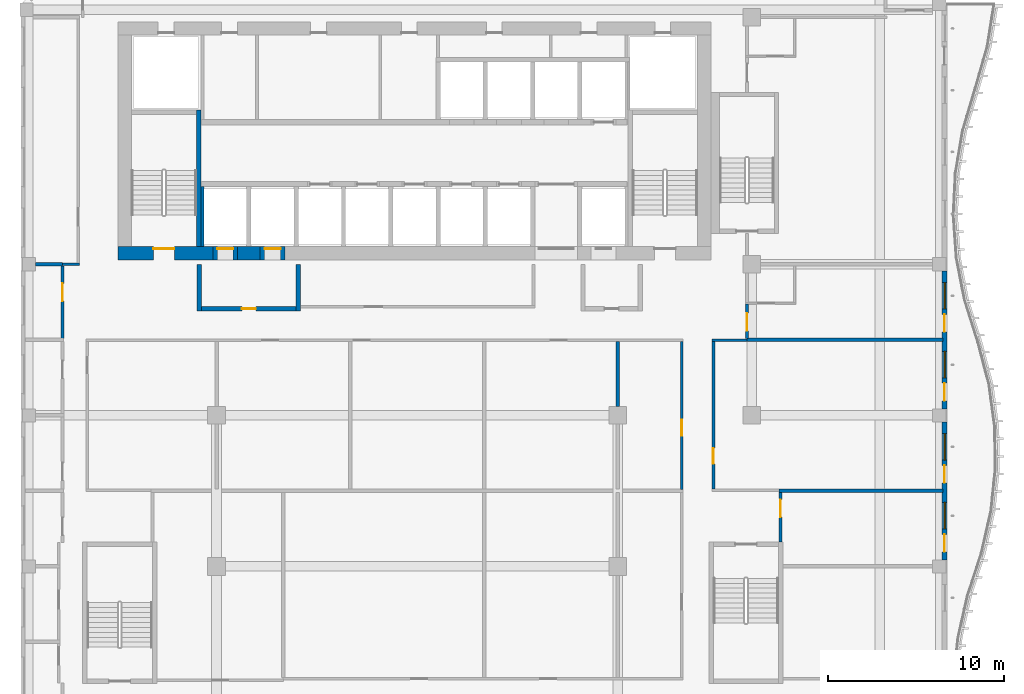
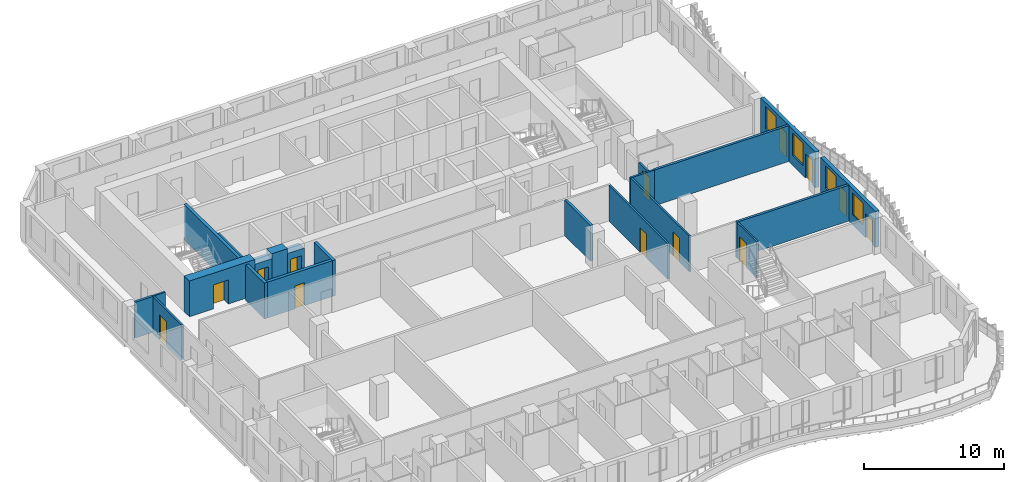
# One storey, part 6 of 22: 22 walls, 13 doors, 4 windows, 17 openings.
"""IFC4 building model written with IfcOpenShell, lengths in metres."""

import ifcopenshell
import ifcopenshell.guid

model = None  # the IFC model being written
_history = None  # IfcOwnerHistory: only IFC2X3 demands one
_inside = {}  # id of a spatial element -> (the spatial element, [elements in it])
_under = {}  # id of a project, library or spatial element -> (it, [spatial elements below it])
_declared = {}  # id of a project -> (the project, [libraries it declares])
_typed = {}  # id of a type object -> (the type object, [elements of that type])
_made_of = {}  # id of a material, layer set ... -> (it, [elements and type objects made of it])


def new_model(schema):
    """Start an empty IFC model of exactly this schema.

    Asked for "IFC4X3", IfcOpenShell would pick the latest addendum, in which some entities
    have other attributes; the version numbers below select the first issue.
    IFC2X3 requires an IfcOwnerHistory on every rooted entity: one is made here for all.
    """
    global model, _history
    if schema == "IFC4X3":
        model = ifcopenshell.file(schema_version=(4, 3, 0, 0))
    else:
        model = ifcopenshell.file(schema=schema)
    _inside.clear()
    _under.clear()
    _declared.clear()
    _typed.clear()
    _made_of.clear()
    _history = None
    if model.schema == "IFC2X3":
        org = make("IfcOrganization", Name="unknown")
        user = make(
            "IfcPersonAndOrganization",
            ThePerson=make("IfcPerson", FamilyName="unknown"),
            TheOrganization=org,
        )
        app = make(
            "IfcApplication",
            ApplicationDeveloper=org,
            Version="unknown",
            ApplicationFullName="unknown",
            ApplicationIdentifier="unknown",
        )
        _history = make(
            "IfcOwnerHistory",
            OwningUser=user,
            OwningApplication=app,
            ChangeAction="ADDED",
            CreationDate=0,
        )
    return model


def make(cls, **values):
    """One entity of the class cls with the attributes given. An attribute that is None is left unset."""
    return model.create_entity(
        cls, **{name: value for name, value in values.items() if value is not None}
    )


def rooted(cls, **values):
    """An entity with a GlobalId (a new one), such as an element, a storey or a relation."""
    return make(cls, GlobalId=ifcopenshell.guid.new(), OwnerHistory=_history, **values)


def si_unit(unit_type, name, prefix=None):
    """IfcSIUnit, for example si_unit("LENGTHUNIT", "METRE", prefix="MILLI")."""
    return make("IfcSIUnit", UnitType=unit_type, Prefix=prefix, Name=name)


def assignment(units):
    """IfcUnitAssignment: the units of a project."""
    return None if units is None else make("IfcUnitAssignment", Units=units)


def point(xyz):
    """IfcCartesianPoint."""
    return None if xyz is None else make("IfcCartesianPoint", Coordinates=xyz)


def direction(xyz):
    """IfcDirection."""
    return None if xyz is None else make("IfcDirection", DirectionRatios=xyz)


def frame(location, z_axis=None, x_axis=None):
    """IfcAxis2Placement3D, a coordinate frame: its origin and axes. An axis left out is left unset."""
    return make(
        "IfcAxis2Placement3D",
        Location=point(location),
        Axis=direction(z_axis),
        RefDirection=direction(x_axis),
    )


def frame_2d(location, x_axis=None):
    """IfcAxis2Placement2D, a coordinate frame in the plane: its origin and x axis."""
    return make(
        "IfcAxis2Placement2D", Location=point(location), RefDirection=direction(x_axis)
    )


def origin():
    """The frame at (0, 0, 0) with its axes left unset."""
    return frame((0.0, 0.0, 0.0))


def place(relative_to, where):
    """IfcLocalPlacement: puts the frame where relative to a parent placement (None: the world)."""
    return make(
        "IfcLocalPlacement", PlacementRelTo=relative_to, RelativePlacement=where
    )


def context(
    kind, dimensions, precision=None, world=None, true_north=None, identifier=None
):
    """IfcGeometricRepresentationContext, for example the 3D "Model" context."""
    return make(
        "IfcGeometricRepresentationContext",
        ContextIdentifier=identifier,
        ContextType=kind,
        CoordinateSpaceDimension=dimensions,
        Precision=precision,
        WorldCoordinateSystem=world,
        TrueNorth=true_north,
    )


def subcontext(parent, identifier, kind, view, scale=None):
    """IfcGeometricRepresentationSubContext, for example "Body" below "Model"."""
    return make(
        "IfcGeometricRepresentationSubContext",
        ContextIdentifier=identifier,
        ContextType=kind,
        ParentContext=parent,
        TargetScale=scale,
        TargetView=view,
    )


def project(units=None, contexts=None):
    """IfcProject with its units and contexts."""
    return rooted(
        "IfcProject",
        Name="project",
        RepresentationContexts=contexts,
        UnitsInContext=assignment(units),
    )


def spatial(cls, under=None, at=None, **own):
    """A site, building, storey or space (cls), placed at a placement, below another one or the project."""
    s = rooted(cls, ObjectPlacement=at, **own)
    if under is not None:
        _under.setdefault(under.id(), (under, []))[1].append(s)
    return s


def profile(cls, at=None, kind="AREA", **sizes):
    """A parametric profile (cls). Its sizes go by their IFC names, for example OverallWidth=200.0."""
    return make(cls, ProfileType=kind, Position=at, **sizes)


def rectangle(**sizes):
    """IfcRectangleProfileDef."""
    return profile("IfcRectangleProfileDef", **sizes)


def extrude(swept, where, along, depth):
    """IfcExtrudedAreaSolid: the profile swept, set in the frame where, extruded along a direction by depth."""
    return make(
        "IfcExtrudedAreaSolid",
        SweptArea=swept,
        Position=where,
        ExtrudedDirection=direction(along),
        Depth=depth,
    )


def shape(context_of_items, identifier, shape_type, items):
    """IfcShapeRepresentation: the items that make up one representation, for example the "Body"."""
    return make(
        "IfcShapeRepresentation",
        ContextOfItems=context_of_items,
        RepresentationIdentifier=identifier,
        RepresentationType=shape_type,
        Items=items,
    )


def source(mapping_origin, context_of_items, identifier, shape_type, items):
    """IfcRepresentationMap: a shape defined once, which mapped items show again and again."""
    return make(
        "IfcRepresentationMap",
        MappingOrigin=mapping_origin,
        MappedRepresentation=shape(context_of_items, identifier, shape_type, items),
    )


def transform(
    local_origin,
    x_axis=None,
    y_axis=None,
    z_axis=None,
    scale=None,
    scale2=None,
    scale3=None,
    uniform=True,
):
    """IfcCartesianTransformationOperator3D, or its non-uniform kind. x_axis, y_axis, z_axis: its Axis1, 2, 3."""
    if uniform:
        return make(
            "IfcCartesianTransformationOperator3D",
            Axis1=direction(x_axis),
            Axis2=direction(y_axis),
            LocalOrigin=point(local_origin),
            Scale=scale,
            Axis3=direction(z_axis),
        )
    return make(
        "IfcCartesianTransformationOperator3DnonUniform",
        Axis1=direction(x_axis),
        Axis2=direction(y_axis),
        LocalOrigin=point(local_origin),
        Scale=scale,
        Axis3=direction(z_axis),
        Scale2=scale2,
        Scale3=scale3,
    )


def mapped(mapping_source, mapping_target):
    """IfcMappedItem: shows the shape of a source again, moved by a transform."""
    return make(
        "IfcMappedItem", MappingSource=mapping_source, MappingTarget=mapping_target
    )


def material(Name=None, Category=None):
    """IfcMaterial."""
    return make("IfcMaterial", Name=Name, Category=Category)


def layer(
    of_material, thickness, ventilated=None, Name=None, Category=None, Priority=None
):
    """IfcMaterialLayer: one layer of a wall or slab, of a material (None: an air gap)."""
    return make(
        "IfcMaterialLayer",
        Material=of_material,
        LayerThickness=thickness,
        IsVentilated=ventilated,
        Name=Name,
        Category=Category,
        Priority=Priority,
    )


def layer_set(layers, Name=None):
    """IfcMaterialLayerSet."""
    return make("IfcMaterialLayerSet", MaterialLayers=layers, LayerSetName=Name)


def made_of(thing, what):
    """Note that an element or type object is made of a material, layer set ...; save() writes the relation."""
    if what is not None:
        _made_of.setdefault(what.id(), (what, []))[1].append(thing)
    return thing


def type_object(cls, material=None, **own):
    """A type object (cls), such as IfcWallType, which elements share."""
    return made_of(rooted(cls, **own), material)


def element(
    cls,
    number,
    at=None,
    inside=None,
    cuts=None,
    type_object=None,
    material=None,
    context=None,
    identifier="Body",
    shape_type=None,
    held_by="IfcProductDefinitionShape",
    body=None,
    shapes=None,
    **own,
):
    """One element of the class cls, such as IfcWall. Its Tag is "e" and its number.

    at: its placement. inside: the storey or other place that contains it. cuts: it is an
    opening in that element (IfcRelVoidsElement). A single representation is given by context,
    identifier, shape_type and body (its items); several are given by shapes. held_by: the class
    of the entity that holds the representations. save() writes the other relations.
    """
    e = rooted(cls, Tag="e%d" % number, ObjectPlacement=at, **own)
    if body is not None:
        shapes = [shape(context, identifier, shape_type, body)]
    if shapes is not None:
        e.Representation = make(held_by, Representations=shapes)
    if inside is not None:
        _inside.setdefault(inside.id(), (inside, []))[1].append(e)
    if cuts is not None:
        rooted(
            "IfcRelVoidsElement", RelatingBuildingElement=cuts, RelatedOpeningElement=e
        )
    if type_object is not None:
        _typed.setdefault(type_object.id(), (type_object, []))[1].append(e)
    return made_of(e, material)


def fill(opening, filler):
    """IfcRelFillsElement: the door or window that sits in an opening."""
    return rooted(
        "IfcRelFillsElement",
        RelatingOpeningElement=opening,
        RelatedBuildingElement=filler,
    )


def aggregate(whole, parts):
    """IfcRelAggregates: a whole, such as a stair, and the parts it consists of."""
    return rooted("IfcRelAggregates", RelatingObject=whole, RelatedObjects=parts)


def save(model, path):
    """Write the relations noted so far, then the file.

    IfcRelAggregates (storeys below a building ...), IfcRelContainedInSpatialStructure (elements
    in a storey), IfcRelDefinesByType, IfcRelAssociatesMaterial and IfcRelDeclares: one each for
    every whole, place, type object, material and project.
    """
    for whole, parts in _under.values():
        aggregate(whole, parts)
    for where, things in _inside.values():
        rooted(
            "IfcRelContainedInSpatialStructure",
            RelatedElements=things,
            RelatingStructure=where,
        )
    for kind, things in _typed.values():
        rooted("IfcRelDefinesByType", RelatedObjects=things, RelatingType=kind)
    for what, things in _made_of.values():
        rooted("IfcRelAssociatesMaterial", RelatedObjects=things, RelatingMaterial=what)
    for by, libraries in _declared.values():
        rooted("IfcRelDeclares", RelatingContext=by, RelatedDefinitions=libraries)
    model.write(path)


model = new_model("IFC4")

# Units and contexts
model_context = context("Model", 3, precision=1e-05, world=origin(), true_north=direction((0.0, 1.0)))
body_context = subcontext(model_context, "Body", "Model", "MODEL_VIEW")
ifc_project = project(units=[si_unit("LENGTHUNIT", "METRE"), si_unit("AREAUNIT", "SQUARE_METRE"), si_unit("VOLUMEUNIT", "CUBIC_METRE"), si_unit("PLANEANGLEUNIT", "RADIAN"), si_unit("MASSUNIT", "GRAM", prefix="KILO")], contexts=[model_context])

# Site, building, storey
site_placement = place(None, origin())
site = spatial("IfcSite", under=ifc_project, at=site_placement, CompositionType="ELEMENT")
building_placement = place(site_placement, origin())
building = spatial("IfcBuilding", under=site, at=building_placement, Name="Kilnfold Tower and Market Hall", CompositionType="ELEMENT")
storey_placement = place(building_placement, frame((0.0, 0.0, 206.699951171875)))
storey = spatial("IfcBuildingStorey", under=building, at=storey_placement, Name="L50", CompositionType="ELEMENT", Elevation=206.699951171875)

# Wall
ifc_material_1 = material(Name="Gypsum board on steel studs", Category="steel")
ifc_layer_1 = layer(ifc_material_1, 0.14990234375)
ifc_layer_set_1 = layer_set([ifc_layer_1], Name="Gypsum board on steel studs")
wall_type_1 = type_object("IfcWallType", Name="WALL CORRIDOR 150", PredefinedType="PARTITIONING", material=ifc_layer_set_1)
wall_1_placement = place(storey_placement, frame((-17.925048828125, 8.0, 0.0), z_axis=(0.0, 0.0, 1.0), x_axis=(-1.0, 0.0, 0.0)))
element("IfcWall", 1, at=wall_1_placement, inside=storey, type_object=wall_type_1, Name="Partition LY30.7", PredefinedType="PARTITIONING", context=body_context, shape_type="SweptSolid", body=[
    extrude(rectangle(XDim=0.975830078125, YDim=0.14990234375, at=frame_2d((0.48779296875, 0.0))), origin(), (0.0, 0.0, 1.0), 3.1201171875),
])

# Wall, opening, door
wall_2_placement = place(storey_placement, frame((-18.89990234375, 3.80908203125, 0.0), z_axis=(0.0, 0.0, 1.0), x_axis=(0.0, 1.0, 0.0)))
wall_2 = element("IfcWall", 2, at=wall_2_placement, inside=storey, type_object=wall_type_1, Name="Partition LY30.16", PredefinedType="PARTITIONING", context=body_context, shape_type="SweptSolid", body=[
    extrude(rectangle(XDim=4.091796875, YDim=0.14990234375, at=frame_2d((2.0458984375, 0.0))), origin(), (0.0, 0.0, 1.0), 3.1201171875),
])
opening_1_placement = place(wall_2_placement, frame((2.111083984375, 0.0, 0.0)))
opening_1 = element("IfcOpeningElement", 3, at=opening_1_placement, cuts=wall_2, Name="Opening D4", PredefinedType="OPENING", context=body_context, shape_type="SweptSolid", body=[
    extrude(rectangle(XDim=1.0, YDim=2.10009765625, at=frame_2d((0.5, 1.050048828125))), frame((0.0, 0.0849609375, 0.0), z_axis=(0.0, -1.0, 0.0), x_axis=(1.0, 0.0, 0.0)), (0.0, 0.0, 1.0), 0.169921875),
])
ifc_material_2 = material(Name="Timber veneer door leaf in steel frame", Category="steel")
door_type_1 = type_object("IfcDoorType", Name="DOOR SERVICE 1000 X2100", OperationType="NOTDEFINED", PredefinedType="DOOR", material=ifc_material_2)
door_1_placement = place(opening_1_placement, origin())
door_1 = element("IfcDoor", 4, at=door_1_placement, inside=storey, type_object=door_type_1, Name="Door D4", OperationType="SINGLE_SWING_LEFT", OverallHeight=2.10009765625, OverallWidth=1.0, PredefinedType="DOOR", context=body_context, shape_type="SweptSolid", body=[
    extrude(rectangle(XDim=1.0, YDim=2.10009765625, at=frame_2d((0.5, 1.050048828125))), frame((0.0, 0.02490234375, 0.0), z_axis=(0.0, -1.0, 0.0), x_axis=(1.0, 0.0, 0.0)), (0.0, 0.0, 1.0), 0.050048828125),
])
fill(opening_1, door_1)

wall_3_placement = place(storey_placement, frame((19.89990234375, 3.80908203125, 0.0), z_axis=(0.0, 0.0, 1.0), x_axis=(0.0, 1.0, 0.0)))
wall_3 = element("IfcWall", 5, at=wall_3_placement, inside=storey, type_object=wall_type_1, Name="Partition LY30.18", PredefinedType="PARTITIONING", context=body_context, shape_type="SweptSolid", body=[
    extrude(rectangle(XDim=1.950927734375, YDim=0.14990234375, at=frame_2d((0.9755859375, 0.0))), origin(), (0.0, 0.0, 1.0), 2.52001953125),
])
opening_2_placement = place(wall_3_placement, frame((0.419921875, 0.0, 0.0)))
opening_2 = element("IfcOpeningElement", 6, at=opening_2_placement, cuts=wall_3, Name="Opening D1", PredefinedType="OPENING", context=body_context, shape_type="SweptSolid", body=[
    extrude(rectangle(XDim=1.0, YDim=2.10009765625, at=frame_2d((0.5, 1.050048828125))), frame((0.0, 0.0849609375, 0.0), z_axis=(0.0, -1.0, 0.0), x_axis=(1.0, 0.0, 0.0)), (0.0, 0.0, 1.0), 0.169921875),
])
ifc_material_3 = material(Name="Timber veneer door leaf in steel frame", Category="steel")
door_type_2 = type_object("IfcDoorType", Name="DOOR ENTRY 1000 X2100", OperationType="NOTDEFINED", PredefinedType="DOOR", material=ifc_material_3)
door_2_placement = place(opening_2_placement, origin())
door_2 = element("IfcDoor", 7, at=door_2_placement, inside=storey, type_object=door_type_2, Name="Door D1", OperationType="SINGLE_SWING_LEFT", OverallHeight=2.10009765625, OverallWidth=1.0, PredefinedType="DOOR", context=body_context, shape_type="SweptSolid", body=[
    extrude(rectangle(XDim=1.0, YDim=2.10009765625, at=frame_2d((0.5, 1.050048828125))), frame((0.0, 0.02490234375, 0.0), z_axis=(0.0, -1.0, 0.0), x_axis=(1.0, 0.0, 0.0)), (0.0, 0.0, 1.0), 0.050048828125),
])
fill(opening_2, door_2)

# Wall
wall_4_placement = place(storey_placement, frame((17.925048828125, 3.699951171875, 0.0), z_axis=(0.0, 0.0, 1.0), x_axis=(1.0, 0.0, 0.0)))
element("IfcWall", 8, at=wall_4_placement, inside=storey, type_object=wall_type_1, Name="Partition LY30.25", PredefinedType="PARTITIONING", context=body_context, shape_type="SweptSolid", body=[
    extrude(rectangle(XDim=1.974853515625, YDim=0.14990234375, at=frame_2d((0.9873046875, 0.0))), origin(), (0.0, 0.0, 1.0), 3.1201171875),
])

# Wall, opening, door
wall_5_placement = place(storey_placement, frame((18.0, -4.72509765625, 0.0), z_axis=(0.0, 0.0, 1.0), x_axis=(0.0, 1.0, 0.0)))
wall_5 = element("IfcWall", 9, at=wall_5_placement, inside=storey, type_object=wall_type_1, Name="Partition LY30.26", PredefinedType="PARTITIONING", context=body_context, shape_type="SweptSolid", body=[
    extrude(rectangle(XDim=8.35009765625, YDim=0.14990234375, at=frame_2d((4.175048828125, 0.0))), origin(), (0.0, 0.0, 1.0), 3.1201171875),
])
opening_3_placement = place(wall_5_placement, frame((1.408935546875, 0.0, 0.0)))
opening_3 = element("IfcOpeningElement", 10, at=opening_3_placement, cuts=wall_5, Name="Opening D2", PredefinedType="OPENING", context=body_context, shape_type="SweptSolid", body=[
    extrude(rectangle(XDim=0.89990234375, YDim=2.10009765625, at=frame_2d((0.449951171875, 1.050048828125))), frame((0.0, 0.0849609375, 0.0), z_axis=(0.0, -1.0, 0.0), x_axis=(1.0, 0.0, 0.0)), (0.0, 0.0, 1.0), 0.169921875),
])
ifc_material_4 = material(Name="Timber veneer door leaf in steel frame", Category="steel")
door_type_3 = type_object("IfcDoorType", Name="DOOR ROOM 900 X2100", OperationType="NOTDEFINED", PredefinedType="DOOR", material=ifc_material_4)
door_3_placement = place(opening_3_placement, origin())
door_3 = element("IfcDoor", 11, at=door_3_placement, inside=storey, type_object=door_type_3, Name="Door D2", OperationType="SINGLE_SWING_LEFT", OverallHeight=2.10009765625, OverallWidth=0.89990234375, PredefinedType="DOOR", context=body_context, shape_type="SweptSolid", body=[
    extrude(rectangle(XDim=0.89990234375, YDim=2.10009765625, at=frame_2d((0.449951171875, 1.050048828125))), frame((0.0, 0.02490234375, 0.0), z_axis=(0.0, -1.0, 0.0), x_axis=(1.0, 0.0, 0.0)), (0.0, 0.0, 1.0), 0.050048828125),
])
fill(opening_3, door_3)

wall_6_placement = place(storey_placement, frame((21.800048828125, -7.75, 0.0), z_axis=(0.0, 0.0, 1.0), x_axis=(0.0, 1.0, 0.0)))
wall_6 = element("IfcWall", 12, at=wall_6_placement, inside=storey, type_object=wall_type_1, Name="Partition LY30.28", PredefinedType="PARTITIONING", context=body_context, shape_type="SweptSolid", body=[
    extrude(rectangle(XDim=2.81689453125, YDim=0.14990234375, at=frame_2d((1.408447265625, 0.0))), origin(), (0.0, 0.0, 1.0), 3.1201171875),
])
opening_4_placement = place(wall_6_placement, frame((1.4150390625, 0.0, 0.0)))
opening_4 = element("IfcOpeningElement", 13, at=opening_4_placement, cuts=wall_6, Name="Opening D4", PredefinedType="OPENING", context=body_context, shape_type="SweptSolid", body=[
    extrude(rectangle(XDim=1.0, YDim=2.10009765625, at=frame_2d((0.5, 1.050048828125))), frame((0.0, 0.0849609375, 0.0), z_axis=(0.0, -1.0, 0.0), x_axis=(1.0, 0.0, 0.0)), (0.0, 0.0, 1.0), 0.169921875),
])
door_4_placement = place(opening_4_placement, origin())
door_4 = element("IfcDoor", 14, at=door_4_placement, inside=storey, type_object=door_type_1, Name="Door D4", OperationType="SINGLE_SWING_LEFT", OverallHeight=2.10009765625, OverallWidth=1.0, PredefinedType="DOOR", context=body_context, shape_type="SweptSolid", body=[
    extrude(rectangle(XDim=1.0, YDim=2.10009765625, at=frame_2d((0.5, 1.050048828125))), frame((0.0, 0.02490234375, 0.0), z_axis=(0.0, -1.0, 0.0), x_axis=(1.0, 0.0, 0.0)), (0.0, 0.0, 1.0), 0.050048828125),
])
fill(opening_4, door_4)

wall_7_placement = place(storey_placement, frame((16.199951171875, -4.7529296875, 0.0), z_axis=(0.0, 0.0, 1.0), x_axis=(0.0, 1.0, 0.0)))
wall_7 = element("IfcWall", 15, at=wall_7_placement, inside=storey, type_object=wall_type_1, Name="Partition LY30.37", PredefinedType="PARTITIONING", context=body_context, shape_type="SweptSolid", body=[
    extrude(rectangle(XDim=8.3779296875, YDim=0.14990234375, at=frame_2d((4.18896484375, 0.0))), origin(), (0.0, 0.0, 1.0), 3.1201171875),
])
opening_5_placement = place(wall_7_placement, frame((3.031005859375, 0.0, 0.0)))
opening_5 = element("IfcOpeningElement", 16, at=opening_5_placement, cuts=wall_7, Name="Opening D2", PredefinedType="OPENING", context=body_context, shape_type="SweptSolid", body=[
    extrude(rectangle(XDim=0.89990234375, YDim=2.10009765625, at=frame_2d((0.449951171875, 1.050048828125))), frame((0.0, 0.0849609375, 0.0), z_axis=(0.0, -1.0, 0.0), x_axis=(1.0, 0.0, 0.0)), (0.0, 0.0, 1.0), 0.169921875),
])
door_5_placement = place(opening_5_placement, origin())
door_5 = element("IfcDoor", 17, at=door_5_placement, inside=storey, type_object=door_type_3, Name="Door D2", OperationType="SINGLE_SWING_LEFT", OverallHeight=2.10009765625, OverallWidth=0.89990234375, PredefinedType="DOOR", context=body_context, shape_type="SweptSolid", body=[
    extrude(rectangle(XDim=0.89990234375, YDim=2.10009765625, at=frame_2d((0.449951171875, 1.050048828125))), frame((0.0, 0.02490234375, 0.0), z_axis=(0.0, -1.0, 0.0), x_axis=(1.0, 0.0, 0.0)), (0.0, 0.0, 1.0), 0.050048828125),
])
fill(opening_5, door_5)

# Walls
ifc_material_5 = material(Name="Gypsum board on steel studs", Category="steel")
ifc_layer_2 = layer(ifc_material_5, 0.199951171875)
ifc_layer_set_2 = layer_set([ifc_layer_2], Name="Gypsum board on steel studs")
wall_type_2 = type_object("IfcWallType", Name="WALL PARTY 200", PredefinedType="PARTITIONING", material=ifc_layer_set_2)
wall_8_placement = place(storey_placement, frame((-20.425048828125, 8.0, 0.0), z_axis=(0.0, 0.0, 1.0), x_axis=(0.999999794741, 0.000640717472, 0.0)))
element("IfcWall", 18, at=wall_8_placement, inside=storey, type_object=wall_type_2, Name="Partition LY30.81", PredefinedType="PARTITIONING", context=body_context, shape_type="SweptSolid", body=[
    extrude(rectangle(XDim=1.524169921875, YDim=0.199951171875, at=frame_2d((0.76220703125, 0.0))), origin(), (0.0, 0.0, 1.0), 3.1201171875),
])
wall_9_placement = place(storey_placement, frame((19.902099609375, 3.718994140625, 0.0), z_axis=(0.0, 0.0, 1.0), x_axis=(1.0, 0.0, 0.0)))
element("IfcWall", 19, at=wall_9_placement, inside=storey, type_object=wall_type_2, Name="Partition LY30.91", PredefinedType="PARTITIONING", context=body_context, shape_type="SweptSolid", body=[
    extrude(rectangle(XDim=11.097900390625, YDim=0.199951171875, at=frame_2d((5.548828125, 0.0))), origin(), (0.0, 0.0, 1.0), 3.1201171875),
])
wall_10_placement = place(storey_placement, frame((21.72705078125, -4.843017578125, 0.0), z_axis=(0.0, 0.0, 1.0), x_axis=(1.0, 0.0, 0.0)))
element("IfcWall", 20, at=wall_10_placement, inside=storey, type_object=wall_type_2, Name="Partition LY30.97", PredefinedType="PARTITIONING", context=body_context, shape_type="SweptSolid", body=[
    extrude(rectangle(XDim=9.27294921875, YDim=0.199951171875, at=frame_2d((4.636474609375, 0.0))), origin(), (0.0, 0.0, 1.0), 3.1201171875),
])
wall_11_placement = place(storey_placement, frame((12.5830078125, -0.06201171875, 0.0), z_axis=(0.0, 0.0, 1.0), x_axis=(0.0, 1.0, 0.0)))
element("IfcWall", 21, at=wall_11_placement, inside=storey, type_object=wall_type_2, Name="Partition LY30.115", PredefinedType="PARTITIONING", context=body_context, shape_type="SweptSolid", body=[
    extrude(rectangle(XDim=3.68505859375, YDim=0.199951171875, at=frame_2d((1.842529296875, 0.0))), origin(), (0.0, 0.0, 1.0), 3.1201171875),
])
ifc_material_6 = material(Name="Concrete C60", Category="concrete")
ifc_layer_3 = layer(ifc_material_6, 0.25)
ifc_layer_set_3 = layer_set([ifc_layer_3], Name="Concrete C60")
wall_type_3 = type_object("IfcWallType", Name="CORE WALL 250 C60", PredefinedType="SHEAR", material=ifc_layer_set_3)
shared_shape_1 = source(origin(), body_context, "Body", "SweptSolid", [
    extrude(rectangle(XDim=7.75, YDim=0.25, at=frame_2d((3.875, 0.0))), origin(), (0.0, 0.0, 1.0), 3.1201171875),
])
wall_12_placement = place(storey_placement, frame((-11.175048828125, 9.0, 0.0), z_axis=(0.0, 0.0, 1.0), x_axis=(0.0, 1.0, 0.0)))
element("IfcWall", 22, at=wall_12_placement, inside=storey, type_object=wall_type_3, Name="Stair enclosure ST1", PredefinedType="SHEAR", context=body_context, shape_type="MappedRepresentation", body=[
    mapped(shared_shape_1, transform((0.0, 0.0, 0.0))),
])

# Wall, opening, door
ifc_material_7 = material(Name="Concrete C60", Category="concrete")
ifc_layer_4 = layer(ifc_material_7, 0.75)
ifc_layer_set_4 = layer_set([ifc_layer_4], Name="Concrete C60")
wall_type_4 = type_object("IfcWallType", Name="CORE WALL 750 C60", PredefinedType="SHEAR", material=ifc_layer_set_4)
shared_shape_2 = source(origin(), body_context, "Body", "SweptSolid", [
    extrude(rectangle(XDim=5.3798828125, YDim=0.75, at=frame_2d((2.68994140625, 0.0))), origin(), (0.0, 0.0, 1.0), 3.1201171875),
])
wall_13_placement = place(storey_placement, frame((-15.75, 8.625, 0.0), z_axis=(0.0, 0.0, 1.0), x_axis=(1.0, 0.0, 0.0)))
wall_13 = element("IfcWall", 23, at=wall_13_placement, inside=storey, type_object=wall_type_4, Name="Core outer wall south", PredefinedType="SHEAR", context=body_context, shape_type="MappedRepresentation", body=[
    mapped(shared_shape_2, transform((0.0, 0.0, 0.0))),
])
opening_6_placement = place(wall_13_placement, frame((2.0, 0.0, 0.0)))
opening_6 = element("IfcOpeningElement", 24, at=opening_6_placement, cuts=wall_13, Name="Opening SD1", PredefinedType="OPENING", context=body_context, shape_type="SweptSolid", body=[
    extrude(rectangle(XDim=1.199951171875, YDim=2.10009765625, at=frame_2d((0.60009765625, 1.050048828125))), frame((0.0, 0.385009765625, 0.0), z_axis=(0.0, -1.0, 0.0), x_axis=(1.0, 0.0, 0.0)), (0.0, 0.0, 1.0), 0.77001953125),
])
ifc_material_8 = material(Name="Steel door set with fire-resisting leaf", Category="steel")
door_type_4 = type_object("IfcDoorType", Name="STAIR FLOOR DOOR 1200X2100", OperationType="NOTDEFINED", PredefinedType="DOOR", material=ifc_material_8)
door_6_placement = place(opening_6_placement, origin())
door_6 = element("IfcDoor", 25, at=door_6_placement, inside=storey, type_object=door_type_4, Name="Exit stair ST1 door", OperationType="DOUBLE_DOOR_SINGLE_SWING", OverallHeight=2.10009765625, OverallWidth=1.199951171875, PredefinedType="DOOR", context=body_context, shape_type="SweptSolid", body=[
    extrude(rectangle(XDim=1.199951171875, YDim=2.10009765625, at=frame_2d((0.60009765625, 1.050048828125))), frame((0.0, 0.27978515625, 0.0), z_axis=(0.0, -1.0, 0.0), x_axis=(1.0, 0.0, 0.0)), (0.0, 0.0, 1.0), 0.050048828125),
])
fill(opening_6, door_6)

# Wall
shared_shape_3 = source(origin(), body_context, "Body", "SweptSolid", [
    extrude(rectangle(XDim=1.280029296875, YDim=0.75, at=frame_2d((0.64013671875, 0.0))), origin(), (0.0, 0.0, 1.0), 3.1201171875),
])
wall_14_placement = place(storey_placement, frame((-8.969970703125, 8.625, 0.0), z_axis=(0.0, 0.0, 1.0), x_axis=(1.0, 0.0, 0.0)))
element("IfcWall", 26, at=wall_14_placement, inside=storey, type_object=wall_type_4, Name="Core outer wall south", PredefinedType="SHEAR", context=body_context, shape_type="MappedRepresentation", body=[
    mapped(shared_shape_3, transform((0.0, 0.0, 0.0))),
])

# Wall, openings, doors, windows
ifc_material_9 = material(Name="Precast concrete C50/60", Category="concrete")
ifc_layer_5 = layer(ifc_material_9, 0.300048828125)
ifc_layer_set_5 = layer_set([ifc_layer_5], Name="Precast concrete C50/60")
wall_type_5 = type_object("IfcWallType", Name="PRECAST WALL 300", PredefinedType="SOLIDWALL", material=ifc_layer_set_5)
shared_shape_4 = source(origin(), body_context, "Body", "SweptSolid", [
    extrude(rectangle(XDim=7.8125, YDim=0.300048828125, at=frame_2d((3.90625, 0.0))), origin(), (0.0, 0.0, 1.0), 3.1201171875),
])
wall_15_placement = place(storey_placement, frame((31.10009765625, -8.75, 0.0), z_axis=(0.0, 0.0, 1.0), x_axis=(0.0, 1.0, 0.0)))
wall_15 = element("IfcWall", 27, at=wall_15_placement, inside=storey, type_object=wall_type_5, Name="External wall L50 E", PredefinedType="SOLIDWALL", context=body_context, shape_type="MappedRepresentation", body=[
    mapped(shared_shape_4, transform((0.0, 0.0, 0.0))),
])
opening_7_placement = place(wall_15_placement, frame((1.75, 0.0, 0.85009765625)))
opening_7 = element("IfcOpeningElement", 28, at=opening_7_placement, cuts=wall_15, Name="Opening W4", PredefinedType="OPENING", context=body_context, shape_type="SweptSolid", body=[
    extrude(rectangle(XDim=1.5, YDim=1.949951171875, at=frame_2d((0.75, 0.97509765625))), frame((0.0, 0.16015625, 0.0), z_axis=(0.0, -1.0, 0.0), x_axis=(1.0, 0.0, 0.0)), (0.0, 0.0, 1.0), 0.320068359375),
])
opening_8_placement = place(wall_15_placement, frame((0.449951171875, 0.0, 0.0)))
opening_8 = element("IfcOpeningElement", 29, at=opening_8_placement, cuts=wall_15, Name="Opening BD1", PredefinedType="OPENING", context=body_context, shape_type="SweptSolid", body=[
    extrude(rectangle(XDim=1.0, YDim=2.10009765625, at=frame_2d((0.5, 1.050048828125))), frame((0.0, 0.16015625, 0.0), z_axis=(0.0, -1.0, 0.0), x_axis=(1.0, 0.0, 0.0)), (0.0, 0.0, 1.0), 0.320068359375),
])
opening_9_placement = place(wall_15_placement, frame((5.65625, 0.0, 0.85009765625)))
opening_9 = element("IfcOpeningElement", 30, at=opening_9_placement, cuts=wall_15, Name="Opening W4", PredefinedType="OPENING", context=body_context, shape_type="SweptSolid", body=[
    extrude(rectangle(XDim=1.5, YDim=1.949951171875, at=frame_2d((0.75, 0.97509765625))), frame((0.0, 0.16015625, 0.0), z_axis=(0.0, -1.0, 0.0), x_axis=(1.0, 0.0, 0.0)), (0.0, 0.0, 1.0), 0.320068359375),
])
opening_10_placement = place(wall_15_placement, frame((4.356201171875, 0.0, 0.0)))
opening_10 = element("IfcOpeningElement", 31, at=opening_10_placement, cuts=wall_15, Name="Opening BD1", PredefinedType="OPENING", context=body_context, shape_type="SweptSolid", body=[
    extrude(rectangle(XDim=1.0, YDim=2.10009765625, at=frame_2d((0.5, 1.050048828125))), frame((0.0, 0.16015625, 0.0), z_axis=(0.0, -1.0, 0.0), x_axis=(1.0, 0.0, 0.0)), (0.0, 0.0, 1.0), 0.320068359375),
])
ifc_material_10 = material(Name="Aluminium frame and double glazing", Category="aluminium")
door_type_5 = type_object("IfcDoorType", Name="BALCONY DOOR 1000X2100", OperationType="NOTDEFINED", PredefinedType="DOOR", material=ifc_material_10)
door_7_placement = place(opening_8_placement, origin())
door_7 = element("IfcDoor", 32, at=door_7_placement, inside=storey, type_object=door_type_5, Name="Balcony door BD1 L50 E-1", OperationType="SINGLE_SWING_LEFT", OverallHeight=2.10009765625, OverallWidth=1.0, PredefinedType="DOOR", context=body_context, shape_type="SweptSolid", body=[
    extrude(rectangle(XDim=1.0, YDim=2.10009765625, at=frame_2d((0.5, 1.050048828125))), frame((0.0, 0.02490234375, 0.0), z_axis=(0.0, -1.0, 0.0), x_axis=(1.0, 0.0, 0.0)), (0.0, 0.0, 1.0), 0.050048828125),
])
fill(opening_8, door_7)
door_8_placement = place(opening_10_placement, origin())
door_8 = element("IfcDoor", 33, at=door_8_placement, inside=storey, type_object=door_type_5, Name="Balcony door BD1 L50 E-2", OperationType="SINGLE_SWING_RIGHT", OverallHeight=2.10009765625, OverallWidth=1.0, PredefinedType="DOOR", context=body_context, shape_type="SweptSolid", body=[
    extrude(rectangle(XDim=1.0, YDim=2.10009765625, at=frame_2d((0.5, 1.050048828125))), frame((0.0, 0.02490234375, 0.0), z_axis=(0.0, -1.0, 0.0), x_axis=(1.0, 0.0, 0.0)), (0.0, 0.0, 1.0), 0.050048828125),
])
fill(opening_10, door_8)
ifc_material_11 = material(Name="Aluminium frame and double glazing", Category="aluminium")
window_type = type_object("IfcWindowType", Name="WINDOW W4 1500X1950", PartitioningType="SINGLE_PANEL", PredefinedType="WINDOW", material=ifc_material_11)
window_1_placement = place(opening_7_placement, origin())
window_1 = element("IfcWindow", 34, at=window_1_placement, inside=storey, type_object=window_type, Name="Window W4 L50 E-1", OverallHeight=1.949951171875, OverallWidth=1.5, PartitioningType="SINGLE_PANEL", PredefinedType="WINDOW", context=body_context, shape_type="SweptSolid", body=[
    extrude(rectangle(XDim=1.5, YDim=1.949951171875, at=frame_2d((0.75, 0.97509765625))), frame((0.0, 0.030029296875, 0.0), z_axis=(0.0, -1.0, 0.0), x_axis=(1.0, 0.0, 0.0)), (0.0, 0.0, 1.0), 0.06005859375),
])
fill(opening_7, window_1)
window_2_placement = place(opening_9_placement, origin())
window_2 = element("IfcWindow", 35, at=window_2_placement, inside=storey, type_object=window_type, Name="Window W4 L50 E-2", OverallHeight=1.949951171875, OverallWidth=1.5, PartitioningType="SINGLE_PANEL", PredefinedType="WINDOW", context=body_context, shape_type="SweptSolid", body=[
    extrude(rectangle(XDim=1.5, YDim=1.949951171875, at=frame_2d((0.75, 0.97509765625))), frame((0.0, 0.030029296875, 0.0), z_axis=(0.0, -1.0, 0.0), x_axis=(1.0, 0.0, 0.0)), (0.0, 0.0, 1.0), 0.06005859375),
])
fill(opening_9, window_2)

wall_16_placement = place(storey_placement, frame((31.10009765625, -0.1875, 0.0), z_axis=(0.0, 0.0, 1.0), x_axis=(0.0, 1.0, 0.0)))
wall_16 = element("IfcWall", 36, at=wall_16_placement, inside=storey, type_object=wall_type_5, Name="External wall L50 E", PredefinedType="SOLIDWALL", context=body_context, shape_type="MappedRepresentation", body=[
    mapped(shared_shape_4, transform((0.0, 0.0, 0.0))),
])
opening_11_placement = place(wall_16_placement, frame((1.75, 0.0, 0.85009765625)))
opening_11 = element("IfcOpeningElement", 37, at=opening_11_placement, cuts=wall_16, Name="Opening W4", PredefinedType="OPENING", context=body_context, shape_type="SweptSolid", body=[
    extrude(rectangle(XDim=1.5, YDim=1.949951171875, at=frame_2d((0.75, 0.97509765625))), frame((0.0, 0.16015625, 0.0), z_axis=(0.0, -1.0, 0.0), x_axis=(1.0, 0.0, 0.0)), (0.0, 0.0, 1.0), 0.320068359375),
])
opening_12_placement = place(wall_16_placement, frame((0.449951171875, 0.0, 0.0)))
opening_12 = element("IfcOpeningElement", 38, at=opening_12_placement, cuts=wall_16, Name="Opening BD1", PredefinedType="OPENING", context=body_context, shape_type="SweptSolid", body=[
    extrude(rectangle(XDim=1.0, YDim=2.10009765625, at=frame_2d((0.5, 1.050048828125))), frame((0.0, 0.16015625, 0.0), z_axis=(0.0, -1.0, 0.0), x_axis=(1.0, 0.0, 0.0)), (0.0, 0.0, 1.0), 0.320068359375),
])
opening_13_placement = place(wall_16_placement, frame((5.65625, 0.0, 0.85009765625)))
opening_13 = element("IfcOpeningElement", 39, at=opening_13_placement, cuts=wall_16, Name="Opening W4", PredefinedType="OPENING", context=body_context, shape_type="SweptSolid", body=[
    extrude(rectangle(XDim=1.5, YDim=1.949951171875, at=frame_2d((0.75, 0.97509765625))), frame((0.0, 0.16015625, 0.0), z_axis=(0.0, -1.0, 0.0), x_axis=(1.0, 0.0, 0.0)), (0.0, 0.0, 1.0), 0.320068359375),
])
opening_14_placement = place(wall_16_placement, frame((4.356201171875, 0.0, 0.0)))
opening_14 = element("IfcOpeningElement", 40, at=opening_14_placement, cuts=wall_16, Name="Opening BD1", PredefinedType="OPENING", context=body_context, shape_type="SweptSolid", body=[
    extrude(rectangle(XDim=1.0, YDim=2.10009765625, at=frame_2d((0.5, 1.050048828125))), frame((0.0, 0.16015625, 0.0), z_axis=(0.0, -1.0, 0.0), x_axis=(1.0, 0.0, 0.0)), (0.0, 0.0, 1.0), 0.320068359375),
])
door_9_placement = place(opening_12_placement, origin())
door_9 = element("IfcDoor", 41, at=door_9_placement, inside=storey, type_object=door_type_5, Name="Balcony door BD1 L50 E-1", OperationType="SINGLE_SWING_LEFT", OverallHeight=2.10009765625, OverallWidth=1.0, PredefinedType="DOOR", context=body_context, shape_type="SweptSolid", body=[
    extrude(rectangle(XDim=1.0, YDim=2.10009765625, at=frame_2d((0.5, 1.050048828125))), frame((0.0, 0.02490234375, 0.0), z_axis=(0.0, -1.0, 0.0), x_axis=(1.0, 0.0, 0.0)), (0.0, 0.0, 1.0), 0.050048828125),
])
fill(opening_12, door_9)
door_10_placement = place(opening_14_placement, origin())
door_10 = element("IfcDoor", 42, at=door_10_placement, inside=storey, type_object=door_type_5, Name="Balcony door BD1 L50 E-2", OperationType="SINGLE_SWING_RIGHT", OverallHeight=2.10009765625, OverallWidth=1.0, PredefinedType="DOOR", context=body_context, shape_type="SweptSolid", body=[
    extrude(rectangle(XDim=1.0, YDim=2.10009765625, at=frame_2d((0.5, 1.050048828125))), frame((0.0, 0.02490234375, 0.0), z_axis=(0.0, -1.0, 0.0), x_axis=(1.0, 0.0, 0.0)), (0.0, 0.0, 1.0), 0.050048828125),
])
fill(opening_14, door_10)
window_3_placement = place(opening_11_placement, origin())
window_3 = element("IfcWindow", 43, at=window_3_placement, inside=storey, type_object=window_type, Name="Window W4 L50 E-1", OverallHeight=1.949951171875, OverallWidth=1.5, PartitioningType="SINGLE_PANEL", PredefinedType="WINDOW", context=body_context, shape_type="SweptSolid", body=[
    extrude(rectangle(XDim=1.5, YDim=1.949951171875, at=frame_2d((0.75, 0.97509765625))), frame((0.0, 0.030029296875, 0.0), z_axis=(0.0, -1.0, 0.0), x_axis=(1.0, 0.0, 0.0)), (0.0, 0.0, 1.0), 0.06005859375),
])
fill(opening_11, window_3)
window_4_placement = place(opening_13_placement, origin())
window_4 = element("IfcWindow", 44, at=window_4_placement, inside=storey, type_object=window_type, Name="Window W4 L50 E-2", OverallHeight=1.949951171875, OverallWidth=1.5, PartitioningType="SINGLE_PANEL", PredefinedType="WINDOW", context=body_context, shape_type="SweptSolid", body=[
    extrude(rectangle(XDim=1.5, YDim=1.949951171875, at=frame_2d((0.75, 0.97509765625))), frame((0.0, 0.030029296875, 0.0), z_axis=(0.0, -1.0, 0.0), x_axis=(1.0, 0.0, 0.0)), (0.0, 0.0, 1.0), 0.06005859375),
])
fill(opening_13, window_4)

# Walls
ifc_material_12 = material(Name="Gypsum shaft wall system")
ifc_layer_6 = layer(ifc_material_12, 0.25)
ifc_layer_set_6 = layer_set([ifc_layer_6], Name="Gypsum shaft wall system")
wall_type_6 = type_object("IfcWallType", Name="LOBBY WALL 250", PredefinedType="PARTITIONING", material=ifc_layer_set_6)
shared_shape_5 = source(origin(), body_context, "Body", "SweptSolid", [
    extrude(rectangle(XDim=2.64990234375, YDim=0.25, at=frame_2d((1.324951171875, 0.0))), origin(), (0.0, 0.0, 1.0), 3.1201171875),
])
for number, where, z_axis, x_axis, name in (
    (45, (-11.135009765625, 5.35009765625, 0.0), (0.0, 0.0, 1.0), (0.0, 1.0, 0.0), "Firefighting lobby wall"),
    (46, (-5.52490234375, 5.35009765625, 0.0), (0.0, 0.0, 1.0), (0.0, 1.0, 0.0), "Firefighting lobby wall"),
):
    element("IfcWall", number, at=place(storey_placement, frame(where, z_axis=z_axis, x_axis=x_axis)), inside=storey, type_object=wall_type_6, Name=name, PredefinedType="PARTITIONING", context=body_context, shape_type="MappedRepresentation", body=[
        mapped(shared_shape_5, transform((0.0, 0.0, 0.0))),
    ])

# Wall, opening, door
shared_shape_6 = source(origin(), body_context, "Body", "SweptSolid", [
    extrude(rectangle(XDim=5.360107421875, YDim=0.25, at=frame_2d((2.68017578125, 0.0))), origin(), (0.0, 0.0, 1.0), 3.1201171875),
])
wall_17_placement = place(storey_placement, frame((-11.010009765625, 5.47509765625, 0.0), z_axis=(0.0, 0.0, 1.0), x_axis=(1.0, 0.0, 0.0)))
wall_17 = element("IfcWall", 47, at=wall_17_placement, inside=storey, type_object=wall_type_6, Name="Firefighting lobby wall", PredefinedType="PARTITIONING", context=body_context, shape_type="MappedRepresentation", body=[
    mapped(shared_shape_6, transform((0.0, 0.0, 0.0))),
])
opening_15_placement = place(wall_17_placement, frame((2.280029296875, 0.0, 0.0)))
opening_15 = element("IfcOpeningElement", 48, at=opening_15_placement, cuts=wall_17, Name="Opening VD1", PredefinedType="OPENING", context=body_context, shape_type="SweptSolid", body=[
    extrude(rectangle(XDim=0.800048828125, YDim=2.0, at=frame_2d((0.39990234375, 1.0))), frame((0.0, 0.135009765625, 0.0), z_axis=(0.0, -1.0, 0.0), x_axis=(1.0, 0.0, 0.0)), (0.0, 0.0, 1.0), 0.27001953125),
])
ifc_material_13 = material(Name="Steel door set with fire-resisting leaf", Category="steel")
door_type_6 = type_object("IfcDoorType", Name="FIREFIGHTING LOBBY DOOR 800X2000", OperationType="NOTDEFINED", PredefinedType="DOOR", material=ifc_material_13)
door_11_placement = place(opening_15_placement, origin())
door_11 = element("IfcDoor", 49, at=door_11_placement, inside=storey, type_object=door_type_6, Name="Firefighting lobby door", OperationType="SINGLE_SWING_LEFT", OverallHeight=2.0, OverallWidth=0.800048828125, PredefinedType="DOOR", context=body_context, shape_type="SweptSolid", body=[
    extrude(rectangle(XDim=0.800048828125, YDim=2.0, at=frame_2d((0.39990234375, 1.0))), frame((0.0, 0.02490234375, 0.0), z_axis=(0.0, -1.0, 0.0), x_axis=(1.0, 0.0, 0.0)), (0.0, 0.0, 1.0), 0.050048828125),
])
fill(opening_15, door_11)

# Wall
ifc_material_14 = material(Name="Gypsum shaft wall system")
ifc_layer_7 = layer(ifc_material_14, 0.1650390625)
ifc_layer_set_7 = layer_set([ifc_layer_7], Name="Gypsum shaft wall system")
wall_type_7 = type_object("IfcWallType", Name="SHAFT WALL 165", PredefinedType="PARTITIONING", material=ifc_layer_set_7)
shared_shape_7 = source(origin(), body_context, "Body", "SweptSolid", [
    extrude(rectangle(XDim=3.39990234375, YDim=0.1650390625, at=frame_2d((1.699951171875, 0.0))), origin(), (0.0, 0.0, 1.0), 3.1201171875),
])
wall_18_placement = place(storey_placement, frame((-10.967529296875, 9.0, 0.0), z_axis=(0.0, 0.0, 1.0), x_axis=(0.0, 1.0, 0.0)))
element("IfcWall", 50, at=wall_18_placement, inside=storey, type_object=wall_type_7, Name="Lift shaft wall", PredefinedType="PARTITIONING", context=body_context, shape_type="MappedRepresentation", body=[
    mapped(shared_shape_7, transform((0.0, 0.0, 0.0))),
])

# Wall, opening, door
ifc_material_15 = material(Name="Gypsum shaft wall system")
ifc_layer_8 = layer(ifc_material_15, 0.75)
ifc_layer_set_8 = layer_set([ifc_layer_8], Name="Gypsum shaft wall system")
wall_type_8 = type_object("IfcWallType", Name="LOBBY WALL 750", PredefinedType="PARTITIONING", material=ifc_layer_set_8)
shared_shape_8 = source(origin(), body_context, "Body", "SweptSolid", [
    extrude(rectangle(XDim=1.400146484375, YDim=0.75, at=frame_2d((0.7001953125, 0.0))), origin(), (0.0, 0.0, 1.0), 2.699951171875),
])
wall_19_placement = place(storey_placement, frame((-10.3701171875, 8.625, 0.0), z_axis=(0.0, 0.0, 1.0), x_axis=(1.0, 0.0, 0.0)))
wall_19 = element("IfcWall", 51, at=wall_19_placement, inside=storey, type_object=wall_type_8, Name="Core wall infill", PredefinedType="PARTITIONING", context=body_context, shape_type="MappedRepresentation", body=[
    mapped(shared_shape_8, transform((0.0, 0.0, 0.0))),
])
opening_16_placement = place(wall_19_placement, frame((0.25, 0.0, 0.0)))
opening_16 = element("IfcOpeningElement", 52, at=opening_16_placement, cuts=wall_19, Name="Opening LD1", PredefinedType="OPENING", context=body_context, shape_type="SweptSolid", body=[
    extrude(rectangle(XDim=0.89990234375, YDim=2.10009765625, at=frame_2d((0.449951171875, 1.050048828125))), frame((0.0, 0.385009765625, 0.0), z_axis=(0.0, -1.0, 0.0), x_axis=(1.0, 0.0, 0.0)), (0.0, 0.0, 1.0), 0.77001953125),
])
ifc_material_16 = material(Name="Steel door set with fire-resisting leaf", Category="steel")
door_type_7 = type_object("IfcDoorType", Name="FIREFIGHTING LANDING DOOR 900X2100", OperationType="NOTDEFINED", PredefinedType="DOOR", material=ifc_material_16)
door_12_placement = place(opening_16_placement, origin())
door_12 = element("IfcDoor", 53, at=door_12_placement, inside=storey, type_object=door_type_7, Name="Landing door FF1", OperationType="SLIDING_TO_LEFT", OverallHeight=2.10009765625, OverallWidth=0.89990234375, PredefinedType="DOOR", context=body_context, shape_type="SweptSolid", body=[
    extrude(rectangle(XDim=0.89990234375, YDim=2.10009765625, at=frame_2d((0.449951171875, 1.050048828125))), frame((0.0, 0.27978515625, 0.0), z_axis=(0.0, -1.0, 0.0), x_axis=(1.0, 0.0, 0.0)), (0.0, 0.0, 1.0), 0.050048828125),
])
fill(opening_16, door_12)

shared_shape_9 = source(origin(), body_context, "Body", "SweptSolid", [
    extrude(rectangle(XDim=1.39990234375, YDim=0.75, at=frame_2d((0.699951171875, 0.0))), origin(), (0.0, 0.0, 1.0), 2.699951171875),
])
wall_20_placement = place(storey_placement, frame((-7.68994140625, 8.625, 0.0), z_axis=(0.0, 0.0, 1.0), x_axis=(1.0, 0.0, 0.0)))
wall_20 = element("IfcWall", 54, at=wall_20_placement, inside=storey, type_object=wall_type_8, Name="Core wall infill", PredefinedType="PARTITIONING", context=body_context, shape_type="MappedRepresentation", body=[
    mapped(shared_shape_9, transform((0.0, 0.0, 0.0))),
])
opening_17_placement = place(wall_20_placement, frame((0.25, 0.0, 0.0)))
opening_17 = element("IfcOpeningElement", 55, at=opening_17_placement, cuts=wall_20, Name="Opening LD1", PredefinedType="OPENING", context=body_context, shape_type="SweptSolid", body=[
    extrude(rectangle(XDim=0.89990234375, YDim=2.10009765625, at=frame_2d((0.449951171875, 1.050048828125))), frame((0.0, 0.385009765625, 0.0), z_axis=(0.0, -1.0, 0.0), x_axis=(1.0, 0.0, 0.0)), (0.0, 0.0, 1.0), 0.77001953125),
])
door_13_placement = place(opening_17_placement, origin())
door_13 = element("IfcDoor", 56, at=door_13_placement, inside=storey, type_object=door_type_7, Name="Landing door FF2", OperationType="SLIDING_TO_RIGHT", OverallHeight=2.10009765625, OverallWidth=0.89990234375, PredefinedType="DOOR", context=body_context, shape_type="SweptSolid", body=[
    extrude(rectangle(XDim=0.89990234375, YDim=2.10009765625, at=frame_2d((0.449951171875, 1.050048828125))), frame((0.0, 0.27978515625, 0.0), z_axis=(0.0, -1.0, 0.0), x_axis=(1.0, 0.0, 0.0)), (0.0, 0.0, 1.0), 0.050048828125),
])
fill(opening_17, door_13)

save(model, "model.ifc")
